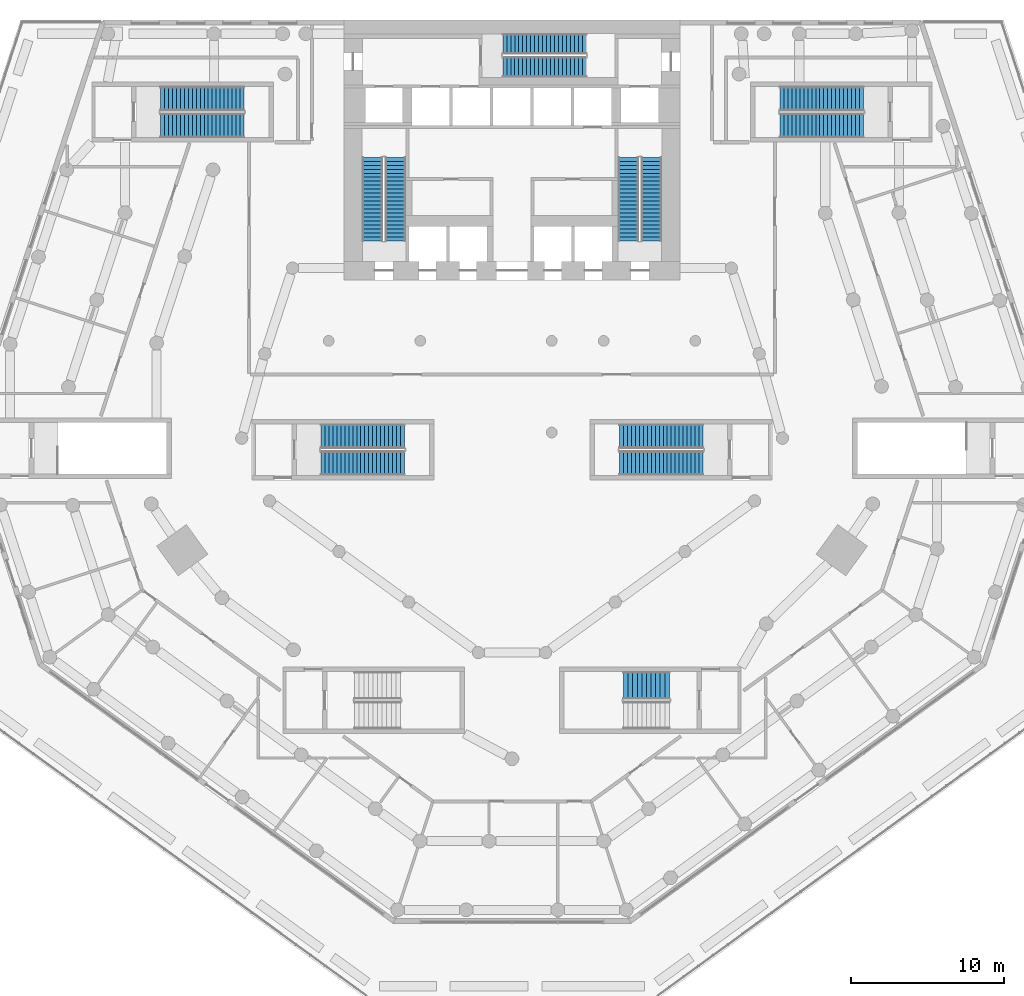
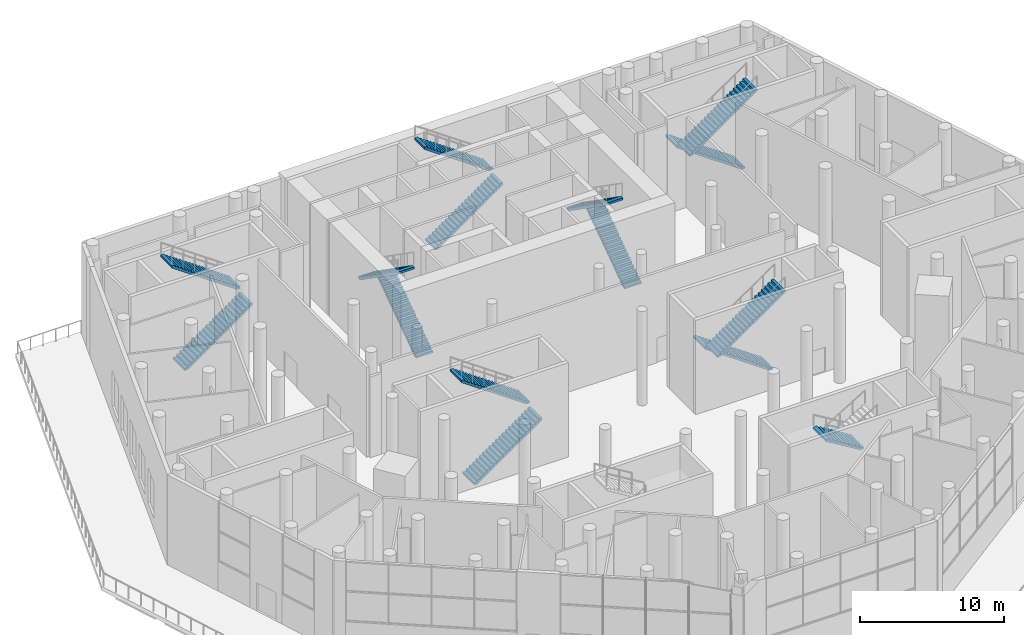
# One storey, part 17 of 23: 15 stair flights, 8 elements without a shape of their own.
"""IFC4 building model written with IfcOpenShell, lengths in metres."""

from ifc_helpers import new_model, si_unit, direction, frame, origin, place, context, subcontext, project, spatial, polyline, outline, extrude, material, layer, layer_set, type_object, element, aggregate, save


model = new_model("IFC4")

# Units and contexts
model_context = context("Model", 3, precision=1e-05, world=origin(), true_north=direction((0.0, 1.0)))
body_context = subcontext(model_context, "Body", "Model", "MODEL_VIEW")
ifc_project = project(units=[si_unit("LENGTHUNIT", "METRE"), si_unit("AREAUNIT", "SQUARE_METRE"), si_unit("VOLUMEUNIT", "CUBIC_METRE"), si_unit("PLANEANGLEUNIT", "RADIAN"), si_unit("MASSUNIT", "GRAM", prefix="KILO")], contexts=[model_context])

# Site, building, storey
site_placement = place(None, origin())
site = spatial("IfcSite", under=ifc_project, at=site_placement, CompositionType="ELEMENT")
building_placement = place(site_placement, origin())
building = spatial("IfcBuilding", under=site, at=building_placement, Name="White Candle Pilgrim Tower", CompositionType="ELEMENT")
storey_placement = place(building_placement, frame((0.0, 0.0, 15.0)))
storey = spatial("IfcBuildingStorey", under=building, at=storey_placement, Name="L02", CompositionType="ELEMENT", Elevation=15.0)

# Stair, stair flights
ifc_material = material(Name="Concrete C40/50", Category="concrete")
stair_type_1 = type_object("IfcStairType", Name="Exit stair 1 flight width 1350 mm", PredefinedType="HALF_TURN_STAIR", material=ifc_material)
stair_1_placement = place(storey_placement, origin())
stair_1 = element("IfcStair", 1, at=stair_1_placement, inside=storey, type_object=stair_type_1, Name="L02 stair 1", PredefinedType="NOTDEFINED")
ifc_layer = layer(ifc_material, 0.14990234375)
ifc_layer_set = layer_set([ifc_layer], Name="Stair flight Concrete C40/50")
stair_flight_type = type_object("IfcStairFlightType", Name="Stair flight Concrete C40/50", PredefinedType="STRAIGHT", material=ifc_layer_set)
stair_flight_1_placement = place(storey_placement, frame((62.375, 73.550048828125, 0.0), z_axis=(0.0, 0.0, 1.0), x_axis=(0.0, 1.0, 0.0)))
stair_flight_1 = element("IfcStairFlight", 2, at=stair_flight_1_placement, type_object=stair_flight_type, Name="ST1 flight 1", NumberOfRisers=22, NumberOfTreads=21, PredefinedType="NOTDEFINED", RiserHeight=0.181818182, TreadLength=0.26, context=body_context, shape_type="SweptSolid", body=[
    extrude(outline(polyline([(0.0, 0.0), (0.0, 0.181884765625), (0.260009765625, 0.181884765625), (0.260009765625, 0.363525390625), (0.52001953125, 0.363525390625), (0.52001953125, 0.54541015625), (0.780029296875, 0.54541015625), (0.780029296875, 0.727294921875), (1.0400390625, 0.727294921875), (1.0400390625, 0.9091796875), (1.300048828125, 0.9091796875), (1.300048828125, 1.0908203125), (1.56005859375, 1.0908203125), (1.56005859375, 1.272705078125), (1.820068359375, 1.272705078125), (1.820068359375, 1.45458984375), (2.080078125, 1.45458984375), (2.080078125, 1.636474609375), (2.340087890625, 1.636474609375), (2.340087890625, 1.818115234375), (2.60009765625, 1.818115234375), (2.60009765625, 2.0), (2.860107421875, 2.0), (2.860107421875, 2.181884765625), (3.1201171875, 2.181884765625), (3.1201171875, 2.363525390625), (3.3798828125, 2.363525390625), (3.3798828125, 2.54541015625), (3.639892578125, 2.54541015625), (3.639892578125, 2.727294921875), (3.89990234375, 2.727294921875), (3.89990234375, 2.9091796875), (4.159912109375, 2.9091796875), (4.159912109375, 3.0908203125), (4.419921875, 3.0908203125), (4.419921875, 3.272705078125), (4.679931640625, 3.272705078125), (4.679931640625, 3.45458984375), (4.93994140625, 3.45458984375), (4.93994140625, 3.636474609375), (5.199951171875, 3.636474609375), (5.199951171875, 3.818115234375), (5.4599609375, 3.818115234375), (5.4599609375, 4.0), (5.4599609375, 3.63525390625), (0.261474609375, 0.0), (0.0, 0.0)])), frame((0.0, 0.675048828125, 0.0), z_axis=(0.0, -1.0, 0.0), x_axis=(1.0, 0.0, 0.0)), (0.0, 0.0, 1.0), 1.35009765625),
])
stair_flight_2_placement = place(storey_placement, frame((60.875, 79.010009765625, 4.0), z_axis=(0.0, 0.0, 1.0), x_axis=(0.0, -1.0, 0.0)))
stair_flight_2 = element("IfcStairFlight", 3, at=stair_flight_2_placement, type_object=stair_flight_type, Name="ST1 flight 2", NumberOfRisers=22, NumberOfTreads=21, PredefinedType="NOTDEFINED", RiserHeight=0.181818182, TreadLength=0.26, context=body_context, shape_type="SweptSolid", body=[
    extrude(outline(polyline([(0.0, 0.0), (0.0, 0.181884765625), (0.260009765625, 0.181884765625), (0.260009765625, 0.363525390625), (0.52001953125, 0.363525390625), (0.52001953125, 0.54541015625), (0.780029296875, 0.54541015625), (0.780029296875, 0.727294921875), (1.0400390625, 0.727294921875), (1.0400390625, 0.9091796875), (1.300048828125, 0.9091796875), (1.300048828125, 1.0908203125), (1.56005859375, 1.0908203125), (1.56005859375, 1.272705078125), (1.820068359375, 1.272705078125), (1.820068359375, 1.45458984375), (2.080078125, 1.45458984375), (2.080078125, 1.636474609375), (2.340087890625, 1.636474609375), (2.340087890625, 1.818115234375), (2.60009765625, 1.818115234375), (2.60009765625, 2.0), (2.860107421875, 2.0), (2.860107421875, 2.181884765625), (3.1201171875, 2.181884765625), (3.1201171875, 2.363525390625), (3.3798828125, 2.363525390625), (3.3798828125, 2.54541015625), (3.639892578125, 2.54541015625), (3.639892578125, 2.727294921875), (3.89990234375, 2.727294921875), (3.89990234375, 2.9091796875), (4.159912109375, 2.9091796875), (4.159912109375, 3.0908203125), (4.419921875, 3.0908203125), (4.419921875, 3.272705078125), (4.679931640625, 3.272705078125), (4.679931640625, 3.45458984375), (4.93994140625, 3.45458984375), (4.93994140625, 3.636474609375), (5.199951171875, 3.636474609375), (5.199951171875, 3.818115234375), (5.4599609375, 3.818115234375), (5.4599609375, 4.0), (5.4599609375, 3.63525390625), (0.261474609375, 0.0), (0.0, 0.0)])), frame((0.0, 0.675048828125, 0.0), z_axis=(0.0, -1.0, 0.0), x_axis=(1.0, 0.0, 0.0)), (0.0, 0.0, 1.0), 1.35009765625),
])
aggregate(stair_1, [stair_flight_1, stair_flight_2])

stair_type_2 = type_object("IfcStairType", Name="Exit stair 2 flight width 1350 mm", PredefinedType="HALF_TURN_STAIR", material=ifc_material)
stair_2_placement = place(storey_placement, origin())
stair_2 = element("IfcStair", 4, at=stair_2_placement, inside=storey, type_object=stair_type_2, Name="L02 stair 2", PredefinedType="NOTDEFINED")
stair_flight_3_placement = place(storey_placement, frame((79.125, 73.550048828125, 0.0), z_axis=(0.0, 0.0, 1.0), x_axis=(0.0, 1.0, 0.0)))
stair_flight_3 = element("IfcStairFlight", 5, at=stair_flight_3_placement, type_object=stair_flight_type, Name="ST2 flight 1", NumberOfRisers=22, NumberOfTreads=21, PredefinedType="NOTDEFINED", RiserHeight=0.181818182, TreadLength=0.26, context=body_context, shape_type="SweptSolid", body=[
    extrude(outline(polyline([(0.0, 0.0), (0.0, 0.181884765625), (0.260009765625, 0.181884765625), (0.260009765625, 0.363525390625), (0.52001953125, 0.363525390625), (0.52001953125, 0.54541015625), (0.780029296875, 0.54541015625), (0.780029296875, 0.727294921875), (1.0400390625, 0.727294921875), (1.0400390625, 0.9091796875), (1.300048828125, 0.9091796875), (1.300048828125, 1.0908203125), (1.56005859375, 1.0908203125), (1.56005859375, 1.272705078125), (1.820068359375, 1.272705078125), (1.820068359375, 1.45458984375), (2.080078125, 1.45458984375), (2.080078125, 1.636474609375), (2.340087890625, 1.636474609375), (2.340087890625, 1.818115234375), (2.60009765625, 1.818115234375), (2.60009765625, 2.0), (2.860107421875, 2.0), (2.860107421875, 2.181884765625), (3.1201171875, 2.181884765625), (3.1201171875, 2.363525390625), (3.3798828125, 2.363525390625), (3.3798828125, 2.54541015625), (3.639892578125, 2.54541015625), (3.639892578125, 2.727294921875), (3.89990234375, 2.727294921875), (3.89990234375, 2.9091796875), (4.159912109375, 2.9091796875), (4.159912109375, 3.0908203125), (4.419921875, 3.0908203125), (4.419921875, 3.272705078125), (4.679931640625, 3.272705078125), (4.679931640625, 3.45458984375), (4.93994140625, 3.45458984375), (4.93994140625, 3.636474609375), (5.199951171875, 3.636474609375), (5.199951171875, 3.818115234375), (5.4599609375, 3.818115234375), (5.4599609375, 4.0), (5.4599609375, 3.63525390625), (0.261474609375, 0.0), (0.0, 0.0)])), frame((0.0, 0.675048828125, 0.0), z_axis=(0.0, -1.0, 0.0), x_axis=(1.0, 0.0, 0.0)), (0.0, 0.0, 1.0), 1.35009765625),
])
stair_flight_4_placement = place(storey_placement, frame((77.625, 79.010009765625, 4.0), z_axis=(0.0, 0.0, 1.0), x_axis=(0.0, -1.0, 0.0)))
stair_flight_4 = element("IfcStairFlight", 6, at=stair_flight_4_placement, type_object=stair_flight_type, Name="ST2 flight 2", NumberOfRisers=22, NumberOfTreads=21, PredefinedType="NOTDEFINED", RiserHeight=0.181818182, TreadLength=0.26, context=body_context, shape_type="SweptSolid", body=[
    extrude(outline(polyline([(0.0, 0.0), (0.0, 0.181884765625), (0.260009765625, 0.181884765625), (0.260009765625, 0.363525390625), (0.52001953125, 0.363525390625), (0.52001953125, 0.54541015625), (0.780029296875, 0.54541015625), (0.780029296875, 0.727294921875), (1.0400390625, 0.727294921875), (1.0400390625, 0.9091796875), (1.300048828125, 0.9091796875), (1.300048828125, 1.0908203125), (1.56005859375, 1.0908203125), (1.56005859375, 1.272705078125), (1.820068359375, 1.272705078125), (1.820068359375, 1.45458984375), (2.080078125, 1.45458984375), (2.080078125, 1.636474609375), (2.340087890625, 1.636474609375), (2.340087890625, 1.818115234375), (2.60009765625, 1.818115234375), (2.60009765625, 2.0), (2.860107421875, 2.0), (2.860107421875, 2.181884765625), (3.1201171875, 2.181884765625), (3.1201171875, 2.363525390625), (3.3798828125, 2.363525390625), (3.3798828125, 2.54541015625), (3.639892578125, 2.54541015625), (3.639892578125, 2.727294921875), (3.89990234375, 2.727294921875), (3.89990234375, 2.9091796875), (4.159912109375, 2.9091796875), (4.159912109375, 3.0908203125), (4.419921875, 3.0908203125), (4.419921875, 3.272705078125), (4.679931640625, 3.272705078125), (4.679931640625, 3.45458984375), (4.93994140625, 3.45458984375), (4.93994140625, 3.636474609375), (5.199951171875, 3.636474609375), (5.199951171875, 3.818115234375), (5.4599609375, 3.818115234375), (5.4599609375, 4.0), (5.4599609375, 3.63525390625), (0.261474609375, 0.0), (0.0, 0.0)])), frame((0.0, 0.675048828125, 0.0), z_axis=(0.0, -1.0, 0.0), x_axis=(1.0, 0.0, 0.0)), (0.0, 0.0, 1.0), 1.35009765625),
])
aggregate(stair_2, [stair_flight_3, stair_flight_4])

stair_type_3 = type_object("IfcStairType", Name="Exit stair 3 flight width 1350 mm", PredefinedType="HALF_TURN_STAIR", material=ifc_material)
stair_3_placement = place(storey_placement, origin())
stair_3 = element("IfcStair", 7, at=stair_3_placement, inside=storey, type_object=stair_type_3, Name="L02 stair 3", PredefinedType="NOTDEFINED")
stair_flight_5_placement = place(storey_placement, frame((69.39990234375, 84.925048828125, 0.0), z_axis=(0.0, 0.0, 1.0), x_axis=(1.0, 0.0, 0.0)))
stair_flight_5 = element("IfcStairFlight", 8, at=stair_flight_5_placement, type_object=stair_flight_type, Name="ST3 flight 1", NumberOfRisers=22, NumberOfTreads=21, PredefinedType="NOTDEFINED", RiserHeight=0.181818182, TreadLength=0.26, context=body_context, shape_type="SweptSolid", body=[
    extrude(outline(polyline([(0.0, 0.0), (0.0, 0.181884765625), (0.260009765625, 0.181884765625), (0.260009765625, 0.363525390625), (0.52001953125, 0.363525390625), (0.52001953125, 0.54541015625), (0.780029296875, 0.54541015625), (0.780029296875, 0.727294921875), (1.0400390625, 0.727294921875), (1.0400390625, 0.9091796875), (1.300048828125, 0.9091796875), (1.300048828125, 1.0908203125), (1.56005859375, 1.0908203125), (1.56005859375, 1.272705078125), (1.820068359375, 1.272705078125), (1.820068359375, 1.45458984375), (2.080078125, 1.45458984375), (2.080078125, 1.636474609375), (2.340087890625, 1.636474609375), (2.340087890625, 1.818115234375), (2.60009765625, 1.818115234375), (2.60009765625, 2.0), (2.860107421875, 2.0), (2.860107421875, 2.181884765625), (3.1201171875, 2.181884765625), (3.1201171875, 2.363525390625), (3.3798828125, 2.363525390625), (3.3798828125, 2.54541015625), (3.639892578125, 2.54541015625), (3.639892578125, 2.727294921875), (3.89990234375, 2.727294921875), (3.89990234375, 2.9091796875), (4.159912109375, 2.9091796875), (4.159912109375, 3.0908203125), (4.419921875, 3.0908203125), (4.419921875, 3.272705078125), (4.679931640625, 3.272705078125), (4.679931640625, 3.45458984375), (4.93994140625, 3.45458984375), (4.93994140625, 3.636474609375), (5.199951171875, 3.636474609375), (5.199951171875, 3.818115234375), (5.4599609375, 3.818115234375), (5.4599609375, 4.0), (5.4599609375, 3.63525390625), (0.261474609375, 0.0), (0.0, 0.0)])), frame((0.0, 0.675048828125, 0.0), z_axis=(0.0, -1.0, 0.0), x_axis=(1.0, 0.0, 0.0)), (0.0, 0.0, 1.0), 1.35009765625),
])
stair_flight_6_placement = place(storey_placement, frame((74.860107421875, 86.425048828125, 4.0), z_axis=(0.0, 0.0, 1.0), x_axis=(-1.0, 0.0, 0.0)))
stair_flight_6 = element("IfcStairFlight", 9, at=stair_flight_6_placement, type_object=stair_flight_type, Name="ST3 flight 2", NumberOfRisers=22, NumberOfTreads=21, PredefinedType="NOTDEFINED", RiserHeight=0.181818182, TreadLength=0.26, context=body_context, shape_type="SweptSolid", body=[
    extrude(outline(polyline([(0.0, 0.0), (0.0, 0.181884765625), (0.260009765625, 0.181884765625), (0.260009765625, 0.363525390625), (0.52001953125, 0.363525390625), (0.52001953125, 0.54541015625), (0.780029296875, 0.54541015625), (0.780029296875, 0.727294921875), (1.0400390625, 0.727294921875), (1.0400390625, 0.9091796875), (1.300048828125, 0.9091796875), (1.300048828125, 1.0908203125), (1.56005859375, 1.0908203125), (1.56005859375, 1.272705078125), (1.820068359375, 1.272705078125), (1.820068359375, 1.45458984375), (2.080078125, 1.45458984375), (2.080078125, 1.636474609375), (2.340087890625, 1.636474609375), (2.340087890625, 1.818115234375), (2.60009765625, 1.818115234375), (2.60009765625, 2.0), (2.860107421875, 2.0), (2.860107421875, 2.181884765625), (3.1201171875, 2.181884765625), (3.1201171875, 2.363525390625), (3.3798828125, 2.363525390625), (3.3798828125, 2.54541015625), (3.639892578125, 2.54541015625), (3.639892578125, 2.727294921875), (3.89990234375, 2.727294921875), (3.89990234375, 2.9091796875), (4.159912109375, 2.9091796875), (4.159912109375, 3.0908203125), (4.419921875, 3.0908203125), (4.419921875, 3.272705078125), (4.679931640625, 3.272705078125), (4.679931640625, 3.45458984375), (4.93994140625, 3.45458984375), (4.93994140625, 3.636474609375), (5.199951171875, 3.636474609375), (5.199951171875, 3.818115234375), (5.4599609375, 3.818115234375), (5.4599609375, 4.0), (5.4599609375, 3.63525390625), (0.261474609375, 0.0), (0.0, 0.0)])), frame((0.0, 0.675048828125, 0.0), z_axis=(0.0, -1.0, 0.0), x_axis=(1.0, 0.0, 0.0)), (0.0, 0.0, 1.0), 1.35009765625),
])
aggregate(stair_3, [stair_flight_5, stair_flight_6])

stair_type_4 = type_object("IfcStairType", Name="Exit stair 4 flight width 1600 mm", PredefinedType="HALF_TURN_STAIR", material=ifc_material)
stair_4_placement = place(storey_placement, origin())
stair_4 = element("IfcStair", 10, at=stair_4_placement, inside=storey, type_object=stair_type_4, Name="L02 stair 4", PredefinedType="NOTDEFINED")
stair_flight_7_placement = place(storey_placement, frame((82.5, 60.75, 0.0), z_axis=(0.0, 0.0, 1.0), x_axis=(-1.0, 0.0, 0.0)))
stair_flight_7 = element("IfcStairFlight", 11, at=stair_flight_7_placement, type_object=stair_flight_type, Name="ST4 flight 1", NumberOfRisers=22, NumberOfTreads=21, PredefinedType="NOTDEFINED", RiserHeight=0.181818182, TreadLength=0.26, context=body_context, shape_type="SweptSolid", body=[
    extrude(outline(polyline([(0.0, 0.0), (0.0, 0.181884765625), (0.260009765625, 0.181884765625), (0.260009765625, 0.363525390625), (0.52001953125, 0.363525390625), (0.52001953125, 0.54541015625), (0.780029296875, 0.54541015625), (0.780029296875, 0.727294921875), (1.0400390625, 0.727294921875), (1.0400390625, 0.9091796875), (1.300048828125, 0.9091796875), (1.300048828125, 1.0908203125), (1.56005859375, 1.0908203125), (1.56005859375, 1.272705078125), (1.820068359375, 1.272705078125), (1.820068359375, 1.45458984375), (2.080078125, 1.45458984375), (2.080078125, 1.636474609375), (2.340087890625, 1.636474609375), (2.340087890625, 1.818115234375), (2.60009765625, 1.818115234375), (2.60009765625, 2.0), (2.860107421875, 2.0), (2.860107421875, 2.181884765625), (3.1201171875, 2.181884765625), (3.1201171875, 2.363525390625), (3.3798828125, 2.363525390625), (3.3798828125, 2.54541015625), (3.639892578125, 2.54541015625), (3.639892578125, 2.727294921875), (3.89990234375, 2.727294921875), (3.89990234375, 2.9091796875), (4.159912109375, 2.9091796875), (4.159912109375, 3.0908203125), (4.419921875, 3.0908203125), (4.419921875, 3.272705078125), (4.679931640625, 3.272705078125), (4.679931640625, 3.45458984375), (4.93994140625, 3.45458984375), (4.93994140625, 3.636474609375), (5.199951171875, 3.636474609375), (5.199951171875, 3.818115234375), (5.4599609375, 3.818115234375), (5.4599609375, 4.0), (5.4599609375, 3.63525390625), (0.261474609375, 0.0), (0.0, 0.0)])), frame((0.0, 0.800048828125, 0.0), z_axis=(0.0, -1.0, 0.0), x_axis=(1.0, 0.0, 0.0)), (0.0, 0.0, 1.0), 1.60009765625),
])
stair_flight_8_placement = place(storey_placement, frame((77.0400390625, 59.0, 4.0), z_axis=(0.0, 0.0, 1.0), x_axis=(1.0, 0.0, 0.0)))
stair_flight_8 = element("IfcStairFlight", 12, at=stair_flight_8_placement, type_object=stair_flight_type, Name="ST4 flight 2", NumberOfRisers=22, NumberOfTreads=21, PredefinedType="NOTDEFINED", RiserHeight=0.181818182, TreadLength=0.26, context=body_context, shape_type="SweptSolid", body=[
    extrude(outline(polyline([(0.0, 0.0), (0.0, 0.181884765625), (0.260009765625, 0.181884765625), (0.260009765625, 0.363525390625), (0.52001953125, 0.363525390625), (0.52001953125, 0.54541015625), (0.780029296875, 0.54541015625), (0.780029296875, 0.727294921875), (1.0400390625, 0.727294921875), (1.0400390625, 0.9091796875), (1.300048828125, 0.9091796875), (1.300048828125, 1.0908203125), (1.56005859375, 1.0908203125), (1.56005859375, 1.272705078125), (1.820068359375, 1.272705078125), (1.820068359375, 1.45458984375), (2.080078125, 1.45458984375), (2.080078125, 1.636474609375), (2.340087890625, 1.636474609375), (2.340087890625, 1.818115234375), (2.60009765625, 1.818115234375), (2.60009765625, 2.0), (2.860107421875, 2.0), (2.860107421875, 2.181884765625), (3.1201171875, 2.181884765625), (3.1201171875, 2.363525390625), (3.3798828125, 2.363525390625), (3.3798828125, 2.54541015625), (3.639892578125, 2.54541015625), (3.639892578125, 2.727294921875), (3.89990234375, 2.727294921875), (3.89990234375, 2.9091796875), (4.159912109375, 2.9091796875), (4.159912109375, 3.0908203125), (4.419921875, 3.0908203125), (4.419921875, 3.272705078125), (4.679931640625, 3.272705078125), (4.679931640625, 3.45458984375), (4.93994140625, 3.45458984375), (4.93994140625, 3.636474609375), (5.199951171875, 3.636474609375), (5.199951171875, 3.818115234375), (5.4599609375, 3.818115234375), (5.4599609375, 4.0), (5.4599609375, 3.63525390625), (0.261474609375, 0.0), (0.0, 0.0)])), frame((0.0, 0.800048828125, 0.0), z_axis=(0.0, -1.0, 0.0), x_axis=(1.0, 0.0, 0.0)), (0.0, 0.0, 1.0), 1.60009765625),
])
aggregate(stair_4, [stair_flight_7, stair_flight_8])

stair_type_5 = type_object("IfcStairType", Name="Exit stair 5 flight width 1600 mm", PredefinedType="HALF_TURN_STAIR", material=ifc_material)
stair_5_placement = place(storey_placement, origin())
stair_5 = element("IfcStair", 13, at=stair_5_placement, inside=storey, type_object=stair_type_5, Name="L02 stair 5", PredefinedType="NOTDEFINED")
stair_flight_9_placement = place(storey_placement, frame((57.5, 59.0, 0.0), z_axis=(0.0, 0.0, 1.0), x_axis=(1.0, 0.0, 0.0)))
stair_flight_9 = element("IfcStairFlight", 14, at=stair_flight_9_placement, type_object=stair_flight_type, Name="ST5 flight 1", NumberOfRisers=22, NumberOfTreads=21, PredefinedType="NOTDEFINED", RiserHeight=0.181818182, TreadLength=0.26, context=body_context, shape_type="SweptSolid", body=[
    extrude(outline(polyline([(0.0, 0.0), (0.0, 0.181884765625), (0.260009765625, 0.181884765625), (0.260009765625, 0.363525390625), (0.52001953125, 0.363525390625), (0.52001953125, 0.54541015625), (0.780029296875, 0.54541015625), (0.780029296875, 0.727294921875), (1.0400390625, 0.727294921875), (1.0400390625, 0.9091796875), (1.300048828125, 0.9091796875), (1.300048828125, 1.0908203125), (1.56005859375, 1.0908203125), (1.56005859375, 1.272705078125), (1.820068359375, 1.272705078125), (1.820068359375, 1.45458984375), (2.080078125, 1.45458984375), (2.080078125, 1.636474609375), (2.340087890625, 1.636474609375), (2.340087890625, 1.818115234375), (2.60009765625, 1.818115234375), (2.60009765625, 2.0), (2.860107421875, 2.0), (2.860107421875, 2.181884765625), (3.1201171875, 2.181884765625), (3.1201171875, 2.363525390625), (3.3798828125, 2.363525390625), (3.3798828125, 2.54541015625), (3.639892578125, 2.54541015625), (3.639892578125, 2.727294921875), (3.89990234375, 2.727294921875), (3.89990234375, 2.9091796875), (4.159912109375, 2.9091796875), (4.159912109375, 3.0908203125), (4.419921875, 3.0908203125), (4.419921875, 3.272705078125), (4.679931640625, 3.272705078125), (4.679931640625, 3.45458984375), (4.93994140625, 3.45458984375), (4.93994140625, 3.636474609375), (5.199951171875, 3.636474609375), (5.199951171875, 3.818115234375), (5.4599609375, 3.818115234375), (5.4599609375, 4.0), (5.4599609375, 3.63525390625), (0.261474609375, 0.0), (0.0, 0.0)])), frame((0.0, 0.800048828125, 0.0), z_axis=(0.0, -1.0, 0.0), x_axis=(1.0, 0.0, 0.0)), (0.0, 0.0, 1.0), 1.60009765625),
])
stair_flight_10_placement = place(storey_placement, frame((62.9599609375, 60.75, 4.0), z_axis=(0.0, 0.0, 1.0), x_axis=(-1.0, 0.0, 0.0)))
stair_flight_10 = element("IfcStairFlight", 15, at=stair_flight_10_placement, type_object=stair_flight_type, Name="ST5 flight 2", NumberOfRisers=22, NumberOfTreads=21, PredefinedType="NOTDEFINED", RiserHeight=0.181818182, TreadLength=0.26, context=body_context, shape_type="SweptSolid", body=[
    extrude(outline(polyline([(0.0, 0.0), (0.0, 0.181884765625), (0.260009765625, 0.181884765625), (0.260009765625, 0.363525390625), (0.52001953125, 0.363525390625), (0.52001953125, 0.54541015625), (0.780029296875, 0.54541015625), (0.780029296875, 0.727294921875), (1.0400390625, 0.727294921875), (1.0400390625, 0.9091796875), (1.300048828125, 0.9091796875), (1.300048828125, 1.0908203125), (1.56005859375, 1.0908203125), (1.56005859375, 1.272705078125), (1.820068359375, 1.272705078125), (1.820068359375, 1.45458984375), (2.080078125, 1.45458984375), (2.080078125, 1.636474609375), (2.340087890625, 1.636474609375), (2.340087890625, 1.818115234375), (2.60009765625, 1.818115234375), (2.60009765625, 2.0), (2.860107421875, 2.0), (2.860107421875, 2.181884765625), (3.1201171875, 2.181884765625), (3.1201171875, 2.363525390625), (3.3798828125, 2.363525390625), (3.3798828125, 2.54541015625), (3.639892578125, 2.54541015625), (3.639892578125, 2.727294921875), (3.89990234375, 2.727294921875), (3.89990234375, 2.9091796875), (4.159912109375, 2.9091796875), (4.159912109375, 3.0908203125), (4.419921875, 3.0908203125), (4.419921875, 3.272705078125), (4.679931640625, 3.272705078125), (4.679931640625, 3.45458984375), (4.93994140625, 3.45458984375), (4.93994140625, 3.636474609375), (5.199951171875, 3.636474609375), (5.199951171875, 3.818115234375), (5.4599609375, 3.818115234375), (5.4599609375, 4.0), (5.4599609375, 3.63525390625), (0.261474609375, 0.0), (0.0, 0.0)])), frame((0.0, 0.800048828125, 0.0), z_axis=(0.0, -1.0, 0.0), x_axis=(1.0, 0.0, 0.0)), (0.0, 0.0, 1.0), 1.60009765625),
])
aggregate(stair_5, [stair_flight_9, stair_flight_10])

# Stair, stair flight
stair_type_6 = type_object("IfcStairType", Name="Exit stair 7 flight width 1800 mm", PredefinedType="HALF_TURN_STAIR", material=ifc_material)
stair_6_placement = place(storey_placement, origin())
stair_6 = element("IfcStair", 16, at=stair_6_placement, inside=storey, type_object=stair_type_6, Name="L02 stair 7", PredefinedType="NOTDEFINED")
stair_flight_11_placement = place(storey_placement, frame((80.300048828125, 44.449951171875, 4.0), z_axis=(0.0, 0.0, 1.0), x_axis=(-1.0, 0.0, 0.0)))
stair_flight_11 = element("IfcStairFlight", 17, at=stair_flight_11_placement, type_object=stair_flight_type, Name="ST7 flight 3", NumberOfRisers=11, NumberOfTreads=10, PredefinedType="NOTDEFINED", RiserHeight=0.181818182, TreadLength=0.3, context=body_context, shape_type="SweptSolid", body=[
    extrude(outline(polyline([(0.0, 0.0), (0.0, 0.181884765625), (0.300048828125, 0.181884765625), (0.300048828125, 0.363525390625), (0.60009765625, 0.363525390625), (0.60009765625, 0.54541015625), (0.89990234375, 0.54541015625), (0.89990234375, 0.727294921875), (1.199951171875, 0.727294921875), (1.199951171875, 0.9091796875), (1.5, 0.9091796875), (1.5, 1.0908203125), (1.800048828125, 1.0908203125), (1.800048828125, 1.272705078125), (2.10009765625, 1.272705078125), (2.10009765625, 1.45458984375), (2.39990234375, 1.45458984375), (2.39990234375, 1.636474609375), (2.699951171875, 1.636474609375), (2.699951171875, 1.818115234375), (3.0, 1.818115234375), (3.0, 2.0), (3.0, 1.642822265625), (0.289306640625, 0.0), (0.0, 0.0)])), frame((0.0, 0.89990234375, 0.0), z_axis=(0.0, -1.0, 0.0), x_axis=(1.0, 0.0, 0.0)), (0.0, 0.0, 1.0), 1.800048828125),
])
aggregate(stair_6, [stair_flight_11])

# Stair, stair flights
stair_type_7 = type_object("IfcStairType", Name="Exit stair 10 flight width 1600 mm", PredefinedType="HALF_TURN_STAIR", material=ifc_material)
stair_7_placement = place(storey_placement, origin())
stair_7 = element("IfcStair", 18, at=stair_7_placement, inside=storey, type_object=stair_type_7, Name="L02 stair 10", PredefinedType="NOTDEFINED")
stair_flight_12_placement = place(storey_placement, frame((47.0, 81.10009765625, 0.0), z_axis=(0.0, 0.0, 1.0), x_axis=(1.0, 0.0, 0.0)))
stair_flight_12 = element("IfcStairFlight", 19, at=stair_flight_12_placement, type_object=stair_flight_type, Name="ST10 flight 1", NumberOfRisers=22, NumberOfTreads=21, PredefinedType="NOTDEFINED", RiserHeight=0.181818182, TreadLength=0.26, context=body_context, shape_type="SweptSolid", body=[
    extrude(outline(polyline([(0.0, 0.0), (0.0, 0.181884765625), (0.260009765625, 0.181884765625), (0.260009765625, 0.363525390625), (0.52001953125, 0.363525390625), (0.52001953125, 0.54541015625), (0.780029296875, 0.54541015625), (0.780029296875, 0.727294921875), (1.0400390625, 0.727294921875), (1.0400390625, 0.9091796875), (1.300048828125, 0.9091796875), (1.300048828125, 1.0908203125), (1.56005859375, 1.0908203125), (1.56005859375, 1.272705078125), (1.820068359375, 1.272705078125), (1.820068359375, 1.45458984375), (2.080078125, 1.45458984375), (2.080078125, 1.636474609375), (2.340087890625, 1.636474609375), (2.340087890625, 1.818115234375), (2.60009765625, 1.818115234375), (2.60009765625, 2.0), (2.860107421875, 2.0), (2.860107421875, 2.181884765625), (3.1201171875, 2.181884765625), (3.1201171875, 2.363525390625), (3.3798828125, 2.363525390625), (3.3798828125, 2.54541015625), (3.639892578125, 2.54541015625), (3.639892578125, 2.727294921875), (3.89990234375, 2.727294921875), (3.89990234375, 2.9091796875), (4.159912109375, 2.9091796875), (4.159912109375, 3.0908203125), (4.419921875, 3.0908203125), (4.419921875, 3.272705078125), (4.679931640625, 3.272705078125), (4.679931640625, 3.45458984375), (4.93994140625, 3.45458984375), (4.93994140625, 3.636474609375), (5.199951171875, 3.636474609375), (5.199951171875, 3.818115234375), (5.4599609375, 3.818115234375), (5.4599609375, 4.0), (5.4599609375, 3.63525390625), (0.261474609375, 0.0), (0.0, 0.0)])), frame((0.0, 0.800048828125, 0.0), z_axis=(0.0, -1.0, 0.0), x_axis=(1.0, 0.0, 0.0)), (0.0, 0.0, 1.0), 1.60009765625),
])
stair_flight_13_placement = place(storey_placement, frame((52.4599609375, 82.85009765625, 4.0), z_axis=(0.0, 0.0, 1.0), x_axis=(-1.0, 0.0, 0.0)))
stair_flight_13 = element("IfcStairFlight", 20, at=stair_flight_13_placement, type_object=stair_flight_type, Name="ST10 flight 2", NumberOfRisers=22, NumberOfTreads=21, PredefinedType="NOTDEFINED", RiserHeight=0.181818182, TreadLength=0.26, context=body_context, shape_type="SweptSolid", body=[
    extrude(outline(polyline([(0.0, 0.0), (0.0, 0.181884765625), (0.260009765625, 0.181884765625), (0.260009765625, 0.363525390625), (0.52001953125, 0.363525390625), (0.52001953125, 0.54541015625), (0.780029296875, 0.54541015625), (0.780029296875, 0.727294921875), (1.0400390625, 0.727294921875), (1.0400390625, 0.9091796875), (1.300048828125, 0.9091796875), (1.300048828125, 1.0908203125), (1.56005859375, 1.0908203125), (1.56005859375, 1.272705078125), (1.820068359375, 1.272705078125), (1.820068359375, 1.45458984375), (2.080078125, 1.45458984375), (2.080078125, 1.636474609375), (2.340087890625, 1.636474609375), (2.340087890625, 1.818115234375), (2.60009765625, 1.818115234375), (2.60009765625, 2.0), (2.860107421875, 2.0), (2.860107421875, 2.181884765625), (3.1201171875, 2.181884765625), (3.1201171875, 2.363525390625), (3.3798828125, 2.363525390625), (3.3798828125, 2.54541015625), (3.639892578125, 2.54541015625), (3.639892578125, 2.727294921875), (3.89990234375, 2.727294921875), (3.89990234375, 2.9091796875), (4.159912109375, 2.9091796875), (4.159912109375, 3.0908203125), (4.419921875, 3.0908203125), (4.419921875, 3.272705078125), (4.679931640625, 3.272705078125), (4.679931640625, 3.45458984375), (4.93994140625, 3.45458984375), (4.93994140625, 3.636474609375), (5.199951171875, 3.636474609375), (5.199951171875, 3.818115234375), (5.4599609375, 3.818115234375), (5.4599609375, 4.0), (5.4599609375, 3.63525390625), (0.261474609375, 0.0), (0.0, 0.0)])), frame((0.0, 0.800048828125, 0.0), z_axis=(0.0, -1.0, 0.0), x_axis=(1.0, 0.0, 0.0)), (0.0, 0.0, 1.0), 1.60009765625),
])
aggregate(stair_7, [stair_flight_12, stair_flight_13])

stair_type_8 = type_object("IfcStairType", Name="Exit stair 11 flight width 1600 mm", PredefinedType="HALF_TURN_STAIR", material=ifc_material)
stair_8_placement = place(storey_placement, origin())
stair_8 = element("IfcStair", 21, at=stair_8_placement, inside=storey, type_object=stair_type_8, Name="L02 stair 11", PredefinedType="NOTDEFINED")
stair_flight_14_placement = place(storey_placement, frame((93.0, 82.85009765625, 0.0), z_axis=(0.0, 0.0, 1.0), x_axis=(-1.0, 0.0, 0.0)))
stair_flight_14 = element("IfcStairFlight", 22, at=stair_flight_14_placement, type_object=stair_flight_type, Name="ST11 flight 1", NumberOfRisers=22, NumberOfTreads=21, PredefinedType="NOTDEFINED", RiserHeight=0.181818182, TreadLength=0.26, context=body_context, shape_type="SweptSolid", body=[
    extrude(outline(polyline([(0.0, 0.0), (0.0, 0.181884765625), (0.260009765625, 0.181884765625), (0.260009765625, 0.363525390625), (0.52001953125, 0.363525390625), (0.52001953125, 0.54541015625), (0.780029296875, 0.54541015625), (0.780029296875, 0.727294921875), (1.0400390625, 0.727294921875), (1.0400390625, 0.9091796875), (1.300048828125, 0.9091796875), (1.300048828125, 1.0908203125), (1.56005859375, 1.0908203125), (1.56005859375, 1.272705078125), (1.820068359375, 1.272705078125), (1.820068359375, 1.45458984375), (2.080078125, 1.45458984375), (2.080078125, 1.636474609375), (2.340087890625, 1.636474609375), (2.340087890625, 1.818115234375), (2.60009765625, 1.818115234375), (2.60009765625, 2.0), (2.860107421875, 2.0), (2.860107421875, 2.181884765625), (3.1201171875, 2.181884765625), (3.1201171875, 2.363525390625), (3.3798828125, 2.363525390625), (3.3798828125, 2.54541015625), (3.639892578125, 2.54541015625), (3.639892578125, 2.727294921875), (3.89990234375, 2.727294921875), (3.89990234375, 2.9091796875), (4.159912109375, 2.9091796875), (4.159912109375, 3.0908203125), (4.419921875, 3.0908203125), (4.419921875, 3.272705078125), (4.679931640625, 3.272705078125), (4.679931640625, 3.45458984375), (4.93994140625, 3.45458984375), (4.93994140625, 3.636474609375), (5.199951171875, 3.636474609375), (5.199951171875, 3.818115234375), (5.4599609375, 3.818115234375), (5.4599609375, 4.0), (5.4599609375, 3.63525390625), (0.261474609375, 0.0), (0.0, 0.0)])), frame((0.0, 0.800048828125, 0.0), z_axis=(0.0, -1.0, 0.0), x_axis=(1.0, 0.0, 0.0)), (0.0, 0.0, 1.0), 1.60009765625),
])
stair_flight_15_placement = place(storey_placement, frame((87.5400390625, 81.10009765625, 4.0), z_axis=(0.0, 0.0, 1.0), x_axis=(1.0, 0.0, 0.0)))
stair_flight_15 = element("IfcStairFlight", 23, at=stair_flight_15_placement, type_object=stair_flight_type, Name="ST11 flight 2", NumberOfRisers=22, NumberOfTreads=21, PredefinedType="NOTDEFINED", RiserHeight=0.181818182, TreadLength=0.26, context=body_context, shape_type="SweptSolid", body=[
    extrude(outline(polyline([(0.0, 0.0), (0.0, 0.181884765625), (0.260009765625, 0.181884765625), (0.260009765625, 0.363525390625), (0.52001953125, 0.363525390625), (0.52001953125, 0.54541015625), (0.780029296875, 0.54541015625), (0.780029296875, 0.727294921875), (1.0400390625, 0.727294921875), (1.0400390625, 0.9091796875), (1.300048828125, 0.9091796875), (1.300048828125, 1.0908203125), (1.56005859375, 1.0908203125), (1.56005859375, 1.272705078125), (1.820068359375, 1.272705078125), (1.820068359375, 1.45458984375), (2.080078125, 1.45458984375), (2.080078125, 1.636474609375), (2.340087890625, 1.636474609375), (2.340087890625, 1.818115234375), (2.60009765625, 1.818115234375), (2.60009765625, 2.0), (2.860107421875, 2.0), (2.860107421875, 2.181884765625), (3.1201171875, 2.181884765625), (3.1201171875, 2.363525390625), (3.3798828125, 2.363525390625), (3.3798828125, 2.54541015625), (3.639892578125, 2.54541015625), (3.639892578125, 2.727294921875), (3.89990234375, 2.727294921875), (3.89990234375, 2.9091796875), (4.159912109375, 2.9091796875), (4.159912109375, 3.0908203125), (4.419921875, 3.0908203125), (4.419921875, 3.272705078125), (4.679931640625, 3.272705078125), (4.679931640625, 3.45458984375), (4.93994140625, 3.45458984375), (4.93994140625, 3.636474609375), (5.199951171875, 3.636474609375), (5.199951171875, 3.818115234375), (5.4599609375, 3.818115234375), (5.4599609375, 4.0), (5.4599609375, 3.63525390625), (0.261474609375, 0.0), (0.0, 0.0)])), frame((0.0, 0.800048828125, 0.0), z_axis=(0.0, -1.0, 0.0), x_axis=(1.0, 0.0, 0.0)), (0.0, 0.0, 1.0), 1.60009765625),
])
aggregate(stair_8, [stair_flight_14, stair_flight_15])

save(model, "model.ifc")
